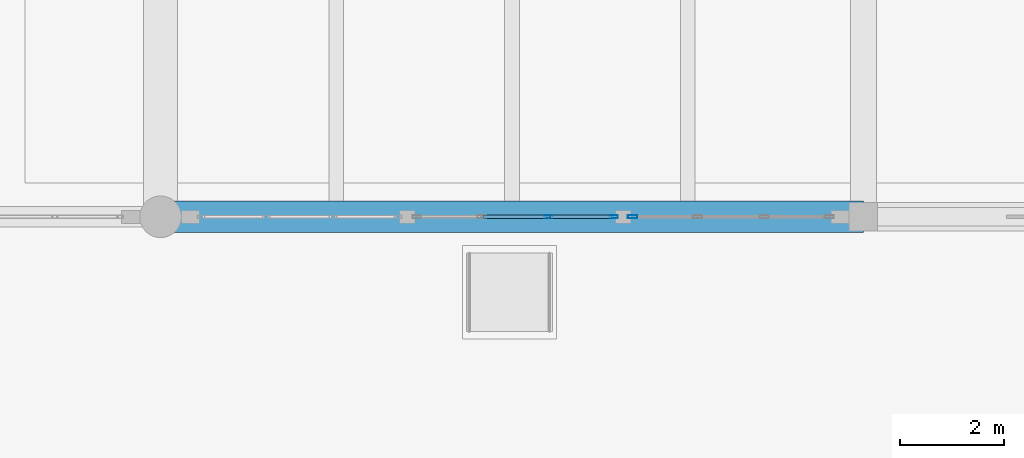
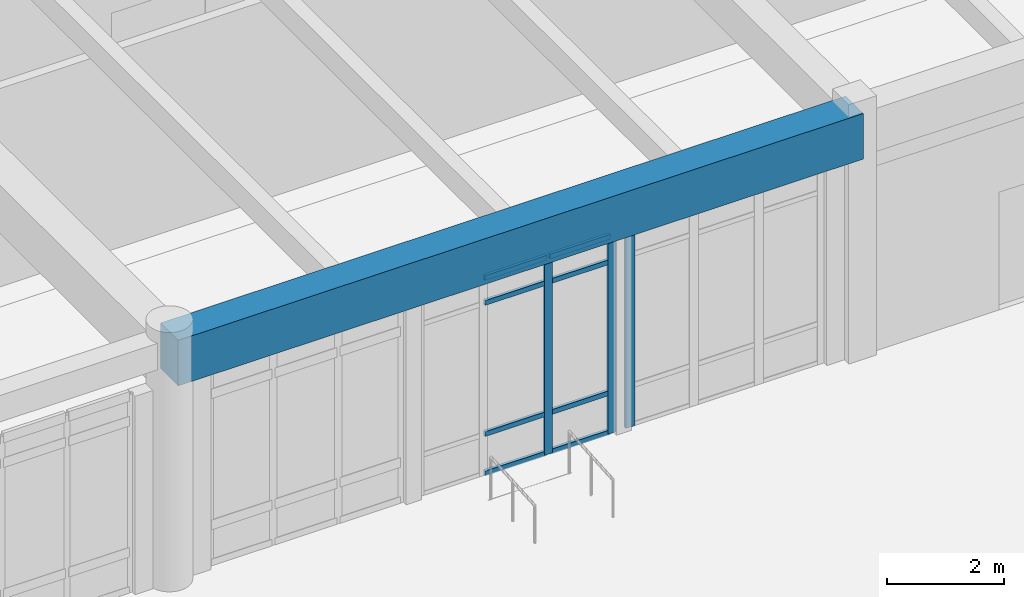
# One storey, part 50 of 138: 11 members, 1 beam, 2 elements without a shape of their own.
"""IFC4 building model written with IfcOpenShell, lengths in metres."""

from ifc_helpers import new_model, si_unit, direction, frame, origin, origin_2d, place, context, subcontext, project, spatial, rectangle, hollow_rectangle, extrude, material, layer, layer_set, material_profile, profile_set, type_object, element, aggregate, save


model = new_model("IFC4")

# Units and contexts
model_context = context("Model", 3, precision=1e-05, world=origin(), true_north=direction((0.0, 1.0)))
body_context = subcontext(model_context, "Body", "Model", "MODEL_VIEW")
ifc_project = project(units=[si_unit("LENGTHUNIT", "METRE"), si_unit("AREAUNIT", "SQUARE_METRE"), si_unit("VOLUMEUNIT", "CUBIC_METRE"), si_unit("PLANEANGLEUNIT", "RADIAN"), si_unit("MASSUNIT", "GRAM", prefix="KILO")], contexts=[model_context])

# Site, building, storey
site_placement = place(None, origin())
site = spatial("IfcSite", under=ifc_project, at=site_placement, CompositionType="ELEMENT")
building_placement = place(site_placement, origin())
building = spatial("IfcBuilding", under=site, at=building_placement, Name="Fikremerkos Civic Library", CompositionType="ELEMENT")
storey_placement = place(building_placement, origin())
storey = spatial("IfcBuildingStorey", under=building, at=storey_placement, Name="L00", CompositionType="ELEMENT", Elevation=0.0)

# Curtain wall, member
ifc_material_1 = material(Name="Anodized aluminium Frame", Category="aluminium")
ifc_layer_1 = layer(ifc_material_1, 0.159912109375, Name="Anodized aluminium Frame")
ifc_layer_set_1 = layer_set([ifc_layer_1], Name="Anodized aluminium Frame")
curtain_wall_type_1 = type_object("IfcCurtainWallType", Name="Unitised curtain wall CW-13 3700x3200", PredefinedType="USERDEFINED", material=ifc_layer_set_1)
curtain_wall_1_placement = place(storey_placement, origin())
curtain_wall_1 = element("IfcCurtainWall", 1, at=curtain_wall_1_placement, inside=storey, type_object=curtain_wall_type_1, Name="Unitised curtain wall CW-13 L00 #31", ObjectType="UNITISED CURTAIN WALL", PredefinedType="USERDEFINED")
ifc_material_profile_1 = material_profile(ifc_material_1, hollow_rectangle(XDim=0.06494140625, YDim=0.179931640625, WallThickness=0.00439453125, at=origin_2d()), Name="ALU 180x65x4.5")
ifc_profile_set_1 = profile_set([ifc_material_profile_1], Name="Anodized aluminium Frame")
member_type_1 = type_object("IfcMemberType", Name="Curtain mullion CWM-01 ALU 180x65x4.5", PredefinedType="MULLION", material=ifc_profile_set_1)
member_1_placement = place(storey_placement, frame((95.7666015625, 96.0, 0.0), z_axis=(0.0, 0.0, 1.0), x_axis=(0.0, -1.0, 0.0)))
member_1 = element("IfcMember", 2, at=member_1_placement, type_object=member_type_1, Name="CW-13 mullion 4", PredefinedType="MULLION", context=body_context, shape_type="SweptSolid", body=[
    extrude(hollow_rectangle(XDim=0.06494140625, YDim=0.179931640625, WallThickness=0.00439453125, at=origin_2d()), origin(), (0.0, 0.0, 1.0), 4.1298828125),
])
aggregate(curtain_wall_1, [member_1])

# Curtain wall, members
ifc_layer_2 = layer(ifc_material_1, 0.159912109375, Name="Anodized aluminium Frame")
ifc_layer_set_2 = layer_set([ifc_layer_2], Name="Anodized aluminium Frame")
curtain_wall_type_2 = type_object("IfcCurtainWallType", Name="Unitised curtain wall CW-14 4100x3200", PredefinedType="USERDEFINED", material=ifc_layer_set_2)
curtain_wall_2_placement = place(storey_placement, origin())
curtain_wall_2 = element("IfcCurtainWall", 3, at=curtain_wall_2_placement, inside=storey, type_object=curtain_wall_type_2, Name="Unitised curtain wall CW-14 L00 #32", ObjectType="UNITISED CURTAIN WALL", PredefinedType="USERDEFINED")
ifc_material_profile_2 = material_profile(ifc_material_1, hollow_rectangle(XDim=0.06005859375, YDim=0.159912109375, WallThickness=0.00390625, at=origin_2d()), Name="ALU 160x60x4")
ifc_profile_set_2 = profile_set([ifc_material_profile_2], Name="Anodized aluminium Frame")
member_type_2 = type_object("IfcMemberType", Name="Curtain mullion CWM-02 ALU 160x60x4", PredefinedType="MULLION", material=ifc_profile_set_2)
member_2_placement = place(storey_placement, frame((95.404052734375, 96.0, 0.0), z_axis=(0.0, 0.0, 1.0), x_axis=(0.0, -1.0, 0.0)))
member_2 = element("IfcMember", 4, at=member_2_placement, type_object=member_type_2, Name="CW-14 mullion 1", PredefinedType="MULLION", context=body_context, shape_type="SweptSolid", body=[
    extrude(hollow_rectangle(XDim=0.06005859375, YDim=0.159912109375, WallThickness=0.00390625, at=origin_2d()), origin(), (0.0, 0.0, 1.0), 4.1298828125),
])
member_3_placement = place(storey_placement, frame((94.153076171875, 96.0, 0.0), z_axis=(0.0, 0.0, 1.0), x_axis=(0.0, -1.0, 0.0)))
member_3 = element("IfcMember", 5, at=member_3_placement, type_object=member_type_2, Name="CW-14 mullion 2", PredefinedType="MULLION", context=body_context, shape_type="SweptSolid", body=[
    extrude(hollow_rectangle(XDim=0.06005859375, YDim=0.159912109375, WallThickness=0.00390625, at=origin_2d()), origin(), (0.0, 0.0, 1.0), 4.1298828125),
])
ifc_material_profile_3 = material_profile(ifc_material_1, hollow_rectangle(XDim=0.06005859375, YDim=0.10009765625, WallThickness=0.00390625, at=origin_2d()), Name="ALU 100x60x4")
ifc_profile_set_3 = profile_set([ifc_material_profile_3], Name="Anodized aluminium Frame")
member_type_3 = type_object("IfcMemberType", Name="Curtain transom CWT-03 ALU 100x60x4", PredefinedType="USERDEFINED", material=ifc_profile_set_3)
member_4_placement = place(storey_placement, frame((95.3740234375, 96.0, 0.030029296875), z_axis=(-1.0, 0.0, 0.0), x_axis=(0.0, -1.0, 0.0)))
member_4 = element("IfcMember", 6, at=member_4_placement, type_object=member_type_3, Name="CW-14 transom 1.1", ObjectType="TRANSOM", PredefinedType="USERDEFINED", context=body_context, shape_type="SweptSolid", body=[
    extrude(hollow_rectangle(XDim=0.06005859375, YDim=0.10009765625, WallThickness=0.00390625, at=origin_2d()), origin(), (0.0, 0.0, 1.0), 1.19091796875),
])
member_5_placement = place(storey_placement, frame((95.3740234375, 96.0, 0.85009765625), z_axis=(-1.0, 0.0, 0.0), x_axis=(0.0, -1.0, 0.0)))
member_5 = element("IfcMember", 7, at=member_5_placement, type_object=member_type_3, Name="CW-14 transom 1.2", ObjectType="TRANSOM", PredefinedType="USERDEFINED", context=body_context, shape_type="SweptSolid", body=[
    extrude(hollow_rectangle(XDim=0.06005859375, YDim=0.10009765625, WallThickness=0.00390625, at=origin_2d()), origin(), (0.0, 0.0, 1.0), 1.19091796875),
])
member_6_placement = place(storey_placement, frame((95.3740234375, 96.0, 3.580078125), z_axis=(-1.0, 0.0, 0.0), x_axis=(0.0, -1.0, 0.0)))
member_6 = element("IfcMember", 8, at=member_6_placement, type_object=member_type_3, Name="CW-14 transom 1.3", ObjectType="TRANSOM", PredefinedType="USERDEFINED", context=body_context, shape_type="SweptSolid", body=[
    extrude(hollow_rectangle(XDim=0.06005859375, YDim=0.10009765625, WallThickness=0.00390625, at=origin_2d()), origin(), (0.0, 0.0, 1.0), 1.19091796875),
])
member_7_placement = place(storey_placement, frame((95.3740234375, 96.0, 4.10009765625), z_axis=(-1.0, 0.0, 0.0), x_axis=(0.0, -1.0, 0.0)))
member_7 = element("IfcMember", 9, at=member_7_placement, type_object=member_type_3, Name="CW-14 transom 1.4", ObjectType="TRANSOM", PredefinedType="USERDEFINED", context=body_context, shape_type="SweptSolid", body=[
    extrude(hollow_rectangle(XDim=0.06005859375, YDim=0.10009765625, WallThickness=0.00390625, at=origin_2d()), origin(), (0.0, 0.0, 1.0), 1.19091796875),
])
member_8_placement = place(storey_placement, frame((94.123046875, 96.0, 0.030029296875), z_axis=(-1.0, 0.0, 0.0), x_axis=(0.0, -1.0, 0.0)))
member_8 = element("IfcMember", 10, at=member_8_placement, type_object=member_type_3, Name="CW-14 transom 2.1", ObjectType="TRANSOM", PredefinedType="USERDEFINED", context=body_context, shape_type="SweptSolid", body=[
    extrude(hollow_rectangle(XDim=0.06005859375, YDim=0.10009765625, WallThickness=0.00390625, at=origin_2d()), origin(), (0.0, 0.0, 1.0), 1.220947265625),
])
member_9_placement = place(storey_placement, frame((94.123046875, 96.0, 0.85009765625), z_axis=(-1.0, 0.0, 0.0), x_axis=(0.0, -1.0, 0.0)))
member_9 = element("IfcMember", 11, at=member_9_placement, type_object=member_type_3, Name="CW-14 transom 2.2", ObjectType="TRANSOM", PredefinedType="USERDEFINED", context=body_context, shape_type="SweptSolid", body=[
    extrude(hollow_rectangle(XDim=0.06005859375, YDim=0.10009765625, WallThickness=0.00390625, at=origin_2d()), origin(), (0.0, 0.0, 1.0), 1.220947265625),
])
member_10_placement = place(storey_placement, frame((94.123046875, 96.0, 3.580078125), z_axis=(-1.0, 0.0, 0.0), x_axis=(0.0, -1.0, 0.0)))
member_10 = element("IfcMember", 12, at=member_10_placement, type_object=member_type_3, Name="CW-14 transom 2.3", ObjectType="TRANSOM", PredefinedType="USERDEFINED", context=body_context, shape_type="SweptSolid", body=[
    extrude(hollow_rectangle(XDim=0.06005859375, YDim=0.10009765625, WallThickness=0.00390625, at=origin_2d()), origin(), (0.0, 0.0, 1.0), 1.220947265625),
])
member_11_placement = place(storey_placement, frame((94.123046875, 96.0, 4.10009765625), z_axis=(-1.0, 0.0, 0.0), x_axis=(0.0, -1.0, 0.0)))
member_11 = element("IfcMember", 13, at=member_11_placement, type_object=member_type_3, Name="CW-14 transom 2.4", ObjectType="TRANSOM", PredefinedType="USERDEFINED", context=body_context, shape_type="SweptSolid", body=[
    extrude(hollow_rectangle(XDim=0.06005859375, YDim=0.10009765625, WallThickness=0.00390625, at=origin_2d()), origin(), (0.0, 0.0, 1.0), 1.220947265625),
])
aggregate(curtain_wall_2, [member_2, member_3, member_4, member_5, member_6, member_7, member_8, member_9, member_10, member_11])

# Beam
ifc_material_2 = material(Name="Concrete C40/50", Category="concrete")
ifc_material_profile_4 = material_profile(ifc_material_2, rectangle(XDim=0.60009765625, YDim=0.949951171875, at=origin_2d()), Name="RC 600x950")
ifc_profile_set_4 = profile_set([ifc_material_profile_4], Name="Concrete C40/50")
beam_type = type_object("IfcBeamType", Name="Primary girder BM-01 RC 600x950", PredefinedType="BEAM", material=ifc_profile_set_4)
beam_placement = place(storey_placement, frame((86.699951171875, 96.0, 4.6650390625), z_axis=(1.0, 0.0, 0.0), x_axis=(0.0, 1.0, 0.0)))
element("IfcBeam", 14, at=beam_placement, inside=storey, type_object=beam_type, Name="Primary girder BM-01 L00 grid M", PredefinedType="BEAM", context=body_context, shape_type="SweptSolid", body=[
    extrude(rectangle(XDim=0.60009765625, YDim=0.949951171875, at=origin_2d()), origin(), (0.0, 0.0, 1.0), 13.5),
])

save(model, "model.ifc")
